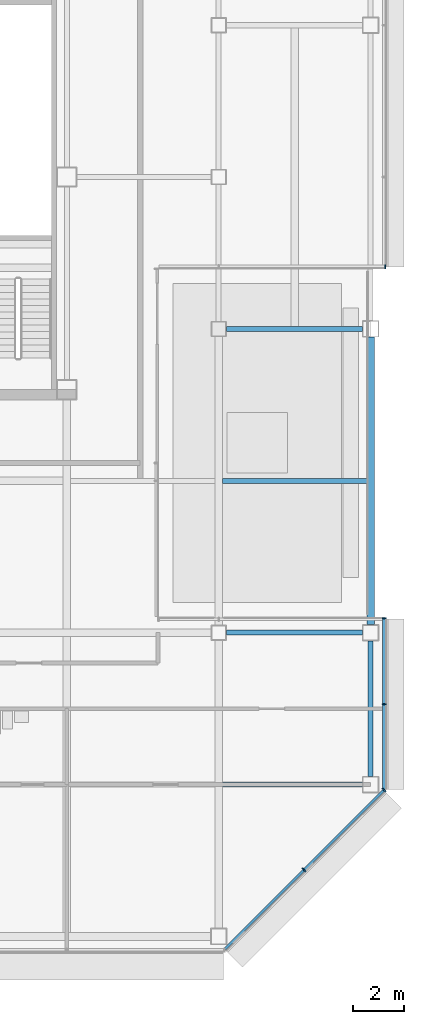
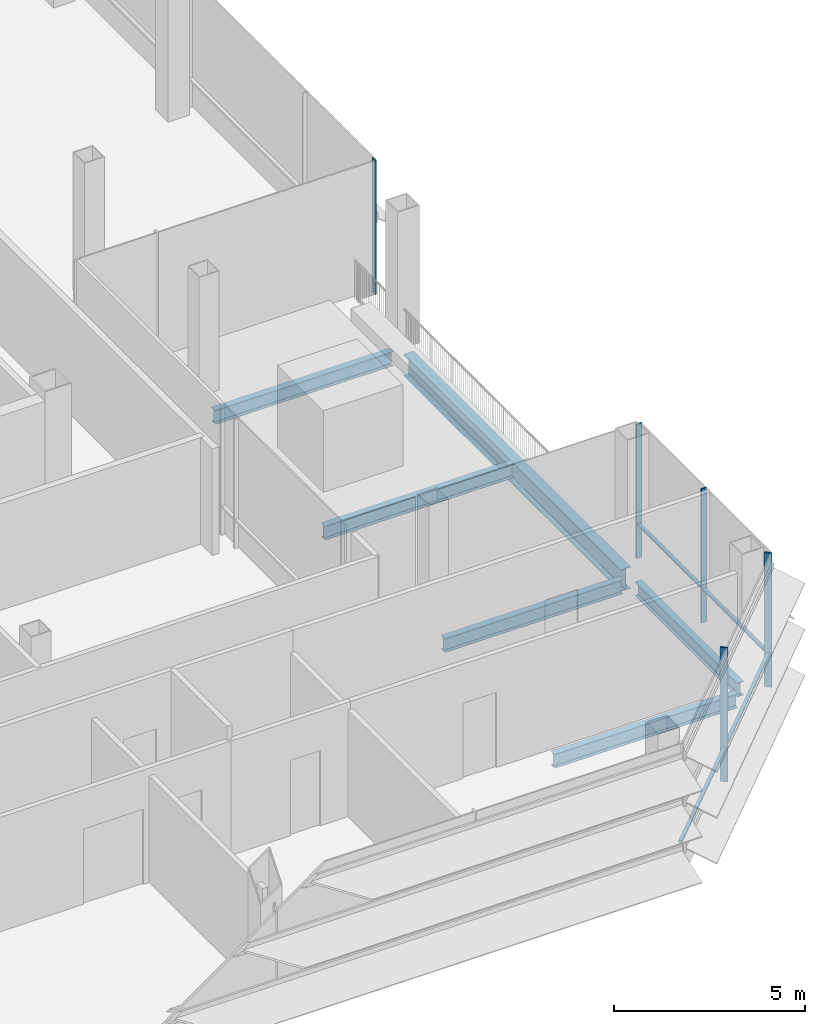
# One storey, part 17 of 30: 7 members, 6 beams, 3 elements without a shape of their own.
"""IFC4 building model written with IfcOpenShell, lengths in metres."""

from ifc_helpers import new_model, si_unit, direction, frame, origin, origin_2d, place, context, subcontext, project, spatial, rectangle, i_section, extrude, material, material_profile, profile_set, type_object, element, aggregate, save


model = new_model("IFC4")

# Units and contexts
model_context = context("Model", 3, precision=1e-05, world=origin(), true_north=direction((0.0, 1.0)))
body_context = subcontext(model_context, "Body", "Model", "MODEL_VIEW")
ifc_project = project(units=[si_unit("LENGTHUNIT", "METRE"), si_unit("AREAUNIT", "SQUARE_METRE"), si_unit("VOLUMEUNIT", "CUBIC_METRE"), si_unit("PLANEANGLEUNIT", "RADIAN"), si_unit("MASSUNIT", "GRAM", prefix="KILO")], contexts=[model_context])

# Site, building, storey
site_placement = place(None, origin())
site = spatial("IfcSite", under=ifc_project, at=site_placement, CompositionType="ELEMENT")
building_placement = place(site_placement, origin())
building = spatial("IfcBuilding", under=site, at=building_placement, Name="Sorahane Residences", CompositionType="ELEMENT")
storey_placement = place(building_placement, frame((0.0, 0.0, 229.800048828125)))
storey = spatial("IfcBuildingStorey", under=building, at=storey_placement, Name="L54", CompositionType="ELEMENT", Elevation=229.800048828125)

# Curtain wall, members
ifc_material_1 = material(Name="Dark low-e glass and black anodised aluminium", Category="aluminium")
curtain_wall_type_1 = type_object("IfcCurtainWallType", Name="Curtain wall CW-1 Typical unitised wall", PredefinedType="NOTDEFINED", material=ifc_material_1)
curtain_wall_1_placement = place(storey_placement, origin())
curtain_wall_1 = element("IfcCurtainWall", 1, at=curtain_wall_1_placement, inside=storey, type_object=curtain_wall_type_1, Name="CW-1 curtain wall L54 E1", PredefinedType="NOTDEFINED")
ifc_material_2 = material(Name="Black anodised aluminium", Category="aluminium")
ifc_material_profile_1 = material_profile(ifc_material_2, rectangle(XDim=0.159912109375, YDim=0.050048828125, at=origin_2d()), Name="Curtain wall mullion CW-1 black anodised aluminium 50x160")
ifc_profile_set_1 = profile_set([ifc_material_profile_1], Name="Black anodised aluminium")
member_type_1 = type_object("IfcMemberType", Name="Curtain wall mullion CW-1 black anodised aluminium 50x160", PredefinedType="MULLION", material=ifc_profile_set_1)
member_1_placement = place(storey_placement, frame((54.5400390625, 9.17578125, -0.179931640625), z_axis=(0.0, 0.0, 1.0), x_axis=(1.0, 0.0, 0.0)))
member_1 = element("IfcMember", 2, at=member_1_placement, type_object=member_type_1, Name="CW-1 mullion L54 E1.2", PredefinedType="MULLION", context=body_context, shape_type="SweptSolid", body=[
    extrude(rectangle(XDim=0.159912109375, YDim=0.050048828125, at=origin_2d()), origin(), (0.0, 0.0, 1.0), 4.27978515625),
])
member_2_placement = place(storey_placement, frame((54.5400390625, 12.574951171875, -0.179931640625), z_axis=(0.0, 0.0, 1.0), x_axis=(1.0, 0.0, 0.0)))
member_2 = element("IfcMember", 3, at=member_2_placement, type_object=member_type_1, Name="CW-1 mullion L54 E1.3", PredefinedType="MULLION", context=body_context, shape_type="SweptSolid", body=[
    extrude(rectangle(XDim=0.159912109375, YDim=0.050048828125, at=origin_2d()), origin(), (0.0, 0.0, 1.0), 4.27978515625),
])

# Curtain wall, member
curtain_wall_2_placement = place(storey_placement, origin())
curtain_wall_2 = element("IfcCurtainWall", 4, at=curtain_wall_2_placement, inside=storey, type_object=curtain_wall_type_1, Name="CW-1 curtain wall L54 S1", PredefinedType="NOTDEFINED")
member_3_placement = place(storey_placement, frame((54.574951171875, 26.4599609375, -0.179931640625), z_axis=(0.0, 0.0, 1.0), x_axis=(0.0, -1.0, 0.0)))
member_3 = element("IfcMember", 5, at=member_3_placement, type_object=member_type_1, Name="CW-1 mullion L54 S1.3", PredefinedType="MULLION", context=body_context, shape_type="SweptSolid", body=[
    extrude(rectangle(XDim=0.159912109375, YDim=0.050048828125, at=origin_2d()), origin(), (0.0, 0.0, 1.0), 4.27978515625),
])
aggregate(curtain_wall_2, [member_3])

# Curtain wall, members
ifc_material_3 = material(Name="Dark low-e glass and black anodised aluminium", Category="aluminium")
curtain_wall_type_2 = type_object("IfcCurtainWallType", Name="Curtain wall CW-2 Chamfer unitised wall", PredefinedType="NOTDEFINED", material=ifc_material_3)
curtain_wall_3_placement = place(storey_placement, origin())
curtain_wall_3 = element("IfcCurtainWall", 6, at=curtain_wall_3_placement, inside=storey, type_object=curtain_wall_type_2, Name="CW-2 curtain wall L54 SE1", PredefinedType="NOTDEFINED")
ifc_material_4 = material(Name="Black anodised aluminium", Category="aluminium")
ifc_material_profile_2 = material_profile(ifc_material_4, rectangle(XDim=0.199951171875, YDim=0.050048828125, at=origin_2d()), Name="Curtain wall mullion CW-2 black anodised aluminium 50x200")
ifc_profile_set_2 = profile_set([ifc_material_profile_2], Name="Black anodised aluminium")
member_type_2 = type_object("IfcMemberType", Name="Curtain wall mullion CW-2 black anodised aluminium 50x200", PredefinedType="MULLION", material=ifc_profile_set_2)
member_4_placement = place(storey_placement, frame((51.36767578125, 2.63232421875, -0.179931640625), z_axis=(0.0, 0.0, 1.0), x_axis=(0.707106781187, -0.707106781187, 0.0)))
member_4 = element("IfcMember", 7, at=member_4_placement, type_object=member_type_2, Name="CW-2 mullion L54 SE1.2", PredefinedType="MULLION", context=body_context, shape_type="SweptSolid", body=[
    extrude(rectangle(XDim=0.199951171875, YDim=0.050048828125, at=origin_2d()), origin(), (0.0, 0.0, 1.0), 4.27978515625),
])
member_5_placement = place(storey_placement, frame((54.525634765625, 5.790283203125, -0.179931640625), z_axis=(0.0, 0.0, 1.0), x_axis=(0.707106781187, -0.707106781187, 0.0)))
member_5 = element("IfcMember", 8, at=member_5_placement, type_object=member_type_2, Name="CW-2 mullion L54 SE1.3", PredefinedType="MULLION", context=body_context, shape_type="SweptSolid", body=[
    extrude(rectangle(XDim=0.199951171875, YDim=0.050048828125, at=origin_2d()), origin(), (0.0, 0.0, 1.0), 4.27978515625),
])

# Member
ifc_material_5 = material(Name="Black anodised aluminium", Category="aluminium")
ifc_material_profile_3 = material_profile(ifc_material_5, rectangle(XDim=0.10009765625, YDim=0.06005859375, at=origin_2d()), Name="Curtain wall transom CW-1 black anodised aluminium 60x100")
ifc_profile_set_3 = profile_set([ifc_material_profile_3], Name="Black anodised aluminium")
member_type_3 = type_object("IfcMemberType", Name="Curtain wall transom CW-1 black anodised aluminium 60x100", PredefinedType="USERDEFINED", material=ifc_profile_set_3)
member_6_placement = place(storey_placement, frame((54.530029296875, 5.801513671875, 0.89990234375), z_axis=(0.0, 1.0, 0.0), x_axis=(-1.0, 0.0, 0.0)))
member_6 = element("IfcMember", 9, at=member_6_placement, type_object=member_type_3, Name="CW-1 transom L54 E1", ObjectType="TRANSOM", PredefinedType="USERDEFINED", context=body_context, shape_type="SweptSolid", body=[
    extrude(rectangle(XDim=0.10009765625, YDim=0.06005859375, at=origin_2d()), origin(), (0.0, 0.0, 1.0), 6.74853515625),
])

aggregate(curtain_wall_1, [member_1, member_2, member_6])

ifc_material_6 = material(Name="Black anodised aluminium", Category="aluminium")
ifc_material_profile_4 = material_profile(ifc_material_6, rectangle(XDim=0.10009765625, YDim=0.06005859375, at=origin_2d()), Name="Curtain wall transom CW-2 black anodised aluminium 60x100")
ifc_profile_set_4 = profile_set([ifc_material_profile_4], Name="Black anodised aluminium")
member_type_4 = type_object("IfcMemberType", Name="Curtain wall transom CW-2 black anodised aluminium 60x100", PredefinedType="USERDEFINED", material=ifc_profile_set_4)
member_7_placement = place(storey_placement, frame((48.234375, -0.51513671875, 0.89990234375), z_axis=(0.707106781187, 0.707106781187, 0.0), x_axis=(-0.707106781187, 0.707106781187, 0.0)))
member_7 = element("IfcMember", 10, at=member_7_placement, type_object=member_type_4, Name="CW-2 transom L54 SE1", ObjectType="TRANSOM", PredefinedType="USERDEFINED", context=body_context, shape_type="SweptSolid", body=[
    extrude(rectangle(XDim=0.10009765625, YDim=0.06005859375, at=origin_2d()), origin(), (0.0, 0.0, 1.0), 8.88232421875),
])

aggregate(curtain_wall_3, [member_4, member_5, member_7])

# Beams
ifc_material_7 = material(Name="Steel Q355B", Category="steel")
ifc_material_profile_5 = material_profile(ifc_material_7, i_section(OverallWidth=0.199951171875, OverallDepth=0.449951171875, WebThickness=0.009033203125, FlangeThickness=0.013916015625, FilletRadius=0.02001953125, at=origin_2d()), Name="HN 450x200x9x14")
ifc_profile_set_5 = profile_set([ifc_material_profile_5], Name="Steel Q355B")
beam_type_1 = type_object("IfcBeamType", Name="Steel floor beam HN 450x200x9x14 Q355B", PredefinedType="BEAM", material=ifc_profile_set_5)
for number, where, z_axis, x_axis, name in (
    (11, (48.300048828125, 12.0, -0.405029296875), (1.0, 0.0, 0.0), (0.0, 1.0, 0.0), "Beam L54 010"),
    (12, (48.300048828125, 24.0, -0.405029296875), (1.0, 0.0, 0.0), (0.0, 1.0, 0.0), "Beam L54 012"),
):
    element("IfcBeam", number, at=place(storey_placement, frame(where, z_axis=z_axis, x_axis=x_axis)), inside=storey, type_object=beam_type_1, Name=name, PredefinedType="BEAM", context=body_context, shape_type="SweptSolid", body=[
        extrude(i_section(OverallWidth=0.199951171875, OverallDepth=0.449951171875, WebThickness=0.009033203125, FlangeThickness=0.013916015625, FilletRadius=0.02001953125, at=origin_2d()), origin(), (0.0, 0.0, 1.0), 5.375),
    ])
beam_1_placement = place(storey_placement, frame((54.0, 6.324951171875, -0.405029296875), z_axis=(0.0, 1.0, 0.0), x_axis=(-1.0, 0.0, 0.0)))
element("IfcBeam", 13, at=beam_1_placement, inside=storey, type_object=beam_type_1, Name="Beam L54 064", PredefinedType="BEAM", context=body_context, shape_type="SweptSolid", body=[
    extrude(i_section(OverallWidth=0.199951171875, OverallDepth=0.449951171875, WebThickness=0.009033203125, FlangeThickness=0.013916015625, FilletRadius=0.02001953125, at=origin_2d()), origin(), (0.0, 0.0, 1.0), 5.35009765625),
])
beam_2_placement = place(storey_placement, frame((48.14990234375, 6.0, -0.405029296875), z_axis=(1.0, 0.0, 0.0), x_axis=(0.0, 1.0, 0.0)))
element("IfcBeam", 14, at=beam_2_placement, inside=storey, type_object=beam_type_1, Name="Beam L54 076", PredefinedType="BEAM", context=body_context, shape_type="SweptSolid", body=[
    extrude(i_section(OverallWidth=0.199951171875, OverallDepth=0.449951171875, WebThickness=0.009033203125, FlangeThickness=0.013916015625, FilletRadius=0.02001953125, at=origin_2d()), origin(), (0.0, 0.0, 1.0), 5.525146484375),
])
beam_3_placement = place(storey_placement, frame((48.14990234375, 18.0, -0.405029296875), z_axis=(1.0, 0.0, 0.0), x_axis=(0.0, 1.0, 0.0)))
element("IfcBeam", 15, at=beam_3_placement, inside=storey, type_object=beam_type_1, Name="Beam L54 083", PredefinedType="BEAM", context=body_context, shape_type="SweptSolid", body=[
    extrude(i_section(OverallWidth=0.199951171875, OverallDepth=0.449951171875, WebThickness=0.009033203125, FlangeThickness=0.013916015625, FilletRadius=0.02001953125, at=origin_2d()), origin(), (0.0, 0.0, 1.0), 5.7001953125),
])
ifc_material_8 = material(Name="Steel Q355B", Category="steel")
ifc_material_profile_6 = material_profile(ifc_material_8, i_section(OverallWidth=0.300048828125, OverallDepth=0.699951171875, WebThickness=0.012939453125, FlangeThickness=0.02392578125, FilletRadius=0.028076171875, at=origin_2d()), Name="HN 700x300x13x24")
ifc_profile_set_6 = profile_set([ifc_material_profile_6], Name="Steel Q355B")
beam_type_2 = type_object("IfcBeamType", Name="Steel floor beam HN 700x300x13x24 Q355B", PredefinedType="BEAM", material=ifc_profile_set_6)
beam_4_placement = place(storey_placement, frame((54.0, 12.324951171875, -0.530029296875), z_axis=(0.0, 1.0, 0.0), x_axis=(-1.0, 0.0, 0.0)))
element("IfcBeam", 16, at=beam_4_placement, inside=storey, type_object=beam_type_2, Name="Beam L54 065", PredefinedType="BEAM", context=body_context, shape_type="SweptSolid", body=[
    extrude(i_section(OverallWidth=0.300048828125, OverallDepth=0.699951171875, WebThickness=0.012939453125, FlangeThickness=0.02392578125, FilletRadius=0.028076171875, at=origin_2d()), origin(), (0.0, 0.0, 1.0), 11.35009765625),
])

save(model, "model.ifc")
